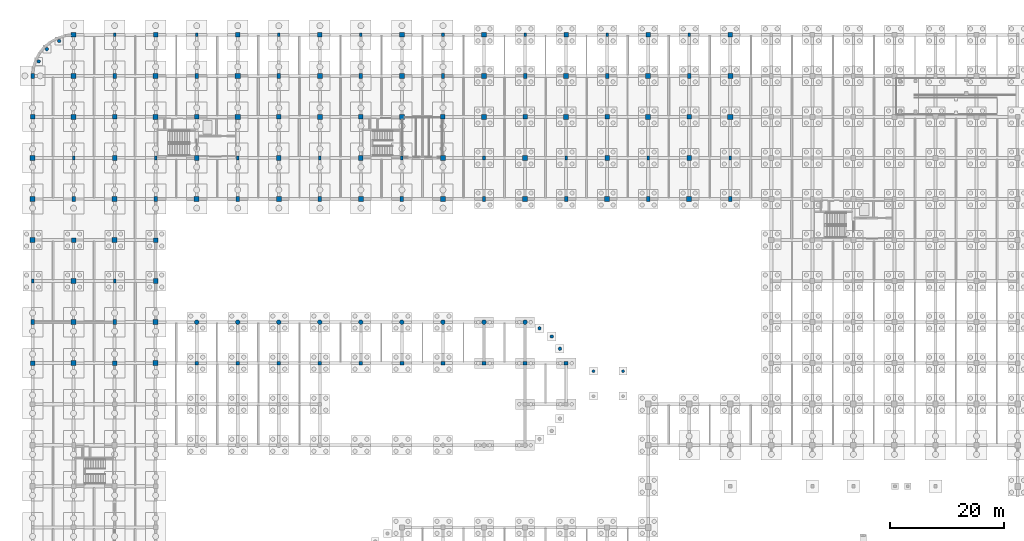
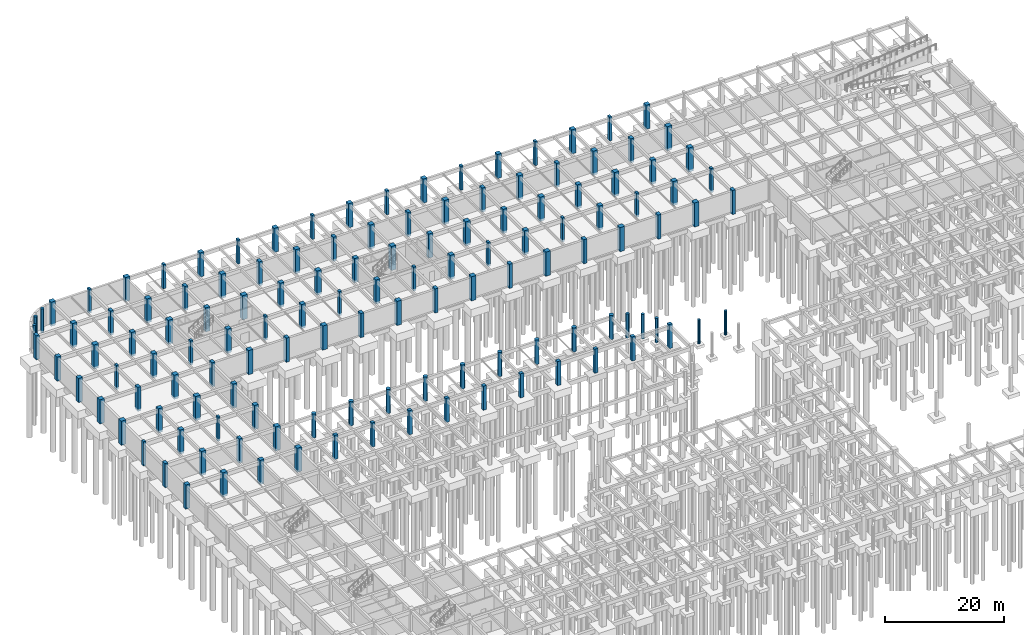
# One storey, part 18 of 47: 132 columns.
"""IFC4 building model written with IfcOpenShell, lengths in metres."""

from ifc_helpers import new_model, si_unit, direction, frame, origin, origin_2d, place, context, subcontext, project, spatial, rectangle, circle, extrude, material, material_profile, profile_set, type_object, element, save


model = new_model("IFC4")

# Units and contexts
model_context = context("Model", 3, precision=1e-05, world=origin(), true_north=direction((0.0, 1.0)))
body_context = subcontext(model_context, "Body", "Model", "MODEL_VIEW")
ifc_project = project(units=[si_unit("LENGTHUNIT", "METRE"), si_unit("AREAUNIT", "SQUARE_METRE"), si_unit("VOLUMEUNIT", "CUBIC_METRE"), si_unit("PLANEANGLEUNIT", "RADIAN"), si_unit("MASSUNIT", "GRAM", prefix="KILO")], contexts=[model_context])

# Site, building, storey
site_placement = place(None, origin())
site = spatial("IfcSite", under=ifc_project, at=site_placement, CompositionType="ELEMENT")
building_placement = place(site_placement, origin())
building = spatial("IfcBuilding", under=site, at=building_placement, Name="Thalmaran Polytechnic", CompositionType="ELEMENT")
storey_placement = place(building_placement, frame((0.0, 0.0, -4.5)))
storey = spatial("IfcBuildingStorey", under=building, at=storey_placement, Name="B1", CompositionType="ELEMENT", Elevation=-4.5)

# Columns
ifc_material_1 = material(Name="Concrete C40/50", Category="concrete")
ifc_material_profile_1 = material_profile(ifc_material_1, circle(Radius=0.25, at=origin_2d()), Name="RC 500 DIA")
ifc_profile_set_1 = profile_set([ifc_material_profile_1], Name="Concrete C40/50")
column_type_1 = type_object("IfcColumnType", Name="COL-AC1", PredefinedType="COLUMN", material=ifc_profile_set_1)
for number, where, z_axis, x_axis, name in (
    (1, (98.39990234375, 63.39990234375, -0.449951171875), (0.0, 0.0, 1.0), (1.0, 0.0, 0.0), "Court Canopy Foundation Pier 0-63"),
    (2, (103.60009765625, 63.39990234375, -0.449951171875), (0.0, 0.0, 1.0), (1.0, 0.0, 0.0), "Court Canopy Foundation Pier 1-63"),
):
    element("IfcColumn", number, at=place(storey_placement, frame(where, z_axis=z_axis, x_axis=x_axis)), inside=storey, type_object=column_type_1, Name=name, PredefinedType="COLUMN", context=body_context, shape_type="SweptSolid", body=[
        extrude(circle(Radius=0.25, at=origin_2d()), origin(), (0.0, 0.0, 1.0), 4.949951171875),
    ])
ifc_material_2 = material(Name="Concrete C50/60", Category="concrete")
ifc_material_profile_2 = material_profile(ifc_material_2, rectangle(XDim=0.89990234375, YDim=0.89990234375, at=origin_2d()), Name="RC 900x900")
ifc_profile_set_2 = profile_set([ifc_material_profile_2], Name="Concrete C50/60")
column_type_2 = type_object("IfcColumnType", Name="COL-C01", PredefinedType="COLUMN", material=ifc_profile_set_2)
for number, where, z_axis, x_axis, name in (
    (3, (0.0, 86.39990234375, -0.449951171875), (0.0, 0.0, 1.0), (1.0, 0.0, 0.0), "Column C01 B1 (0,12)"),
    (4, (7.199951171875, 64.800048828125, -0.449951171875), (0.0, 0.0, 1.0), (1.0, 0.0, 0.0), "Column C01 B1 (1,9)"),
    (5, (7.199951171875, 108.0, -0.449951171875), (0.0, 0.0, 1.0), (1.0, 0.0, 0.0), "Column C01 B1 (1,15)"),
    (6, (14.39990234375, 86.39990234375, -0.449951171875), (0.0, 0.0, 1.0), (1.0, 0.0, 0.0), "Column C01 B1 (2,12)"),
    (7, (21.60009765625, 64.800048828125, -0.449951171875), (0.0, 0.0, 1.0), (1.0, 0.0, 0.0), "Column C01 B1 (3,9)"),
    (8, (21.60009765625, 108.0, -0.449951171875), (0.0, 0.0, 1.0), (1.0, 0.0, 0.0), "Column C01 B1 (3,15)"),
    (9, (36.0, 108.0, -0.449951171875), (0.0, 0.0, 1.0), (1.0, 0.0, 0.0), "Column C01 B1 (5,15)"),
    (10, (50.39990234375, 108.0, -0.449951171875), (0.0, 0.0, 1.0), (1.0, 0.0, 0.0), "Column C01 B1 (7,15)"),
    (11, (64.800048828125, 108.0, -0.449951171875), (0.0, 0.0, 1.0), (1.0, 0.0, 0.0), "Column C01 B1 (9,15)"),
    (12, (79.199951171875, 108.0, -0.449951171875), (0.0, 0.0, 1.0), (1.0, 0.0, 0.0), "Column C01 B1 (11,15)"),
    (13, (93.60009765625, 108.0, -0.449951171875), (0.0, 0.0, 1.0), (1.0, 0.0, 0.0), "Column C01 B1 (13,15)"),
    (14, (108.0, 108.0, -0.449951171875), (0.0, 0.0, 1.0), (1.0, 0.0, 0.0), "Column C01 B1 (15,15)"),
    (15, (122.39990234375, 108.0, -0.449951171875), (0.0, 0.0, 1.0), (1.0, 0.0, 0.0), "Column C01 B1 (17,15)"),
):
    element("IfcColumn", number, at=place(storey_placement, frame(where, z_axis=z_axis, x_axis=x_axis)), inside=storey, type_object=column_type_2, Name=name, PredefinedType="COLUMN", context=body_context, shape_type="SweptSolid", body=[
        extrude(rectangle(XDim=0.89990234375, YDim=0.89990234375, at=origin_2d()), origin(), (0.0, 0.0, 1.0), 4.949951171875),
    ])
ifc_material_profile_3 = material_profile(ifc_material_2, rectangle(XDim=0.800048828125, YDim=0.800048828125, at=origin_2d()), Name="RC 800x800")
ifc_profile_set_3 = profile_set([ifc_material_profile_3], Name="Concrete C50/60")
column_type_3 = type_object("IfcColumnType", Name="COL-C03", PredefinedType="COLUMN", material=ifc_profile_set_3)
for number, where, z_axis, x_axis, name in (
    (16, (0.0, 64.800048828125, -0.449951171875), (0.0, 0.0, 1.0), (1.0, 0.0, 0.0), "Column C03 B1 (0,9)"),
    (17, (0.0, 108.0, -0.449951171875), (0.0, 0.0, 1.0), (1.0, 0.0, 0.0), "Column C03 B1 (0,15)"),
    (18, (7.199951171875, 86.39990234375, -0.449951171875), (0.0, 0.0, 1.0), (1.0, 0.0, 0.0), "Column C03 B1 (1,12)"),
    (19, (14.39990234375, 64.800048828125, -0.449951171875), (0.0, 0.0, 1.0), (1.0, 0.0, 0.0), "Column C03 B1 (2,9)"),
    (20, (14.39990234375, 108.0, -0.449951171875), (0.0, 0.0, 1.0), (1.0, 0.0, 0.0), "Column C03 B1 (2,15)"),
    (21, (21.60009765625, 86.39990234375, -0.449951171875), (0.0, 0.0, 1.0), (1.0, 0.0, 0.0), "Column C03 B1 (3,12)"),
    (22, (28.800048828125, 108.0, -0.449951171875), (0.0, 0.0, 1.0), (1.0, 0.0, 0.0), "Column C03 B1 (4,15)"),
    (23, (43.199951171875, 108.0, -0.449951171875), (0.0, 0.0, 1.0), (1.0, 0.0, 0.0), "Column C03 B1 (6,15)"),
    (24, (57.60009765625, 108.0, -0.449951171875), (0.0, 0.0, 1.0), (1.0, 0.0, 0.0), "Column C03 B1 (8,15)"),
    (25, (72.0, 108.0, -0.449951171875), (0.0, 0.0, 1.0), (1.0, 0.0, 0.0), "Column C03 B1 (10,15)"),
    (26, (86.39990234375, 108.0, -0.449951171875), (0.0, 0.0, 1.0), (1.0, 0.0, 0.0), "Column C03 B1 (12,15)"),
    (27, (100.800048828125, 108.0, -0.449951171875), (0.0, 0.0, 1.0), (1.0, 0.0, 0.0), "Column C03 B1 (14,15)"),
    (28, (115.199951171875, 108.0, -0.449951171875), (0.0, 0.0, 1.0), (1.0, 0.0, 0.0), "Column C03 B1 (16,15)"),
):
    element("IfcColumn", number, at=place(storey_placement, frame(where, z_axis=z_axis, x_axis=x_axis)), inside=storey, type_object=column_type_3, Name=name, PredefinedType="COLUMN", context=body_context, shape_type="SweptSolid", body=[
        extrude(rectangle(XDim=0.800048828125, YDim=0.800048828125, at=origin_2d()), origin(), (0.0, 0.0, 1.0), 4.949951171875),
    ])
ifc_material_profile_4 = material_profile(ifc_material_1, rectangle(XDim=0.64990234375, YDim=0.64990234375, at=origin_2d()), Name="RC 650x650")
ifc_profile_set_4 = profile_set([ifc_material_profile_4], Name="Concrete C40/50")
column_type_4 = type_object("IfcColumnType", Name="COL-C06", PredefinedType="COLUMN", material=ifc_profile_set_4)
for number, where, z_axis, x_axis, name in (
    (29, (28.800048828125, 64.800048828125, -0.449951171875), (0.0, 0.0, 1.0), (1.0, 0.0, 0.0), "Column C06 B1 (4,9)"),
    (30, (36.0, 64.800048828125, -0.449951171875), (0.0, 0.0, 1.0), (1.0, 0.0, 0.0), "Column C06 B1 (5,9)"),
    (31, (43.199951171875, 64.800048828125, -0.449951171875), (0.0, 0.0, 1.0), (1.0, 0.0, 0.0), "Column C06 B1 (6,9)"),
    (32, (50.39990234375, 64.800048828125, -0.449951171875), (0.0, 0.0, 1.0), (1.0, 0.0, 0.0), "Column C06 B1 (7,9)"),
    (33, (57.60009765625, 64.800048828125, -0.449951171875), (0.0, 0.0, 1.0), (1.0, 0.0, 0.0), "Column C06 B1 (8,9)"),
    (34, (64.800048828125, 64.800048828125, -0.449951171875), (0.0, 0.0, 1.0), (1.0, 0.0, 0.0), "Column C06 B1 (9,9)"),
    (35, (72.0, 64.800048828125, -0.449951171875), (0.0, 0.0, 1.0), (1.0, 0.0, 0.0), "Column C06 B1 (10,9)"),
    (36, (79.199951171875, 64.800048828125, -0.449951171875), (0.0, 0.0, 1.0), (1.0, 0.0, 0.0), "Column C06 B1 (11,9)"),
    (37, (86.39990234375, 64.800048828125, -0.449951171875), (0.0, 0.0, 1.0), (1.0, 0.0, 0.0), "Column C06 B1 (12,9)"),
    (38, (93.60009765625, 64.800048828125, -0.449951171875), (0.0, 0.0, 1.0), (1.0, 0.0, 0.0), "Column C06 B1 (13,9)"),
):
    element("IfcColumn", number, at=place(storey_placement, frame(where, z_axis=z_axis, x_axis=x_axis)), inside=storey, type_object=column_type_4, Name=name, PredefinedType="COLUMN", context=body_context, shape_type="SweptSolid", body=[
        extrude(rectangle(XDim=0.64990234375, YDim=0.64990234375, at=origin_2d()), origin(), (0.0, 0.0, 1.0), 4.949951171875),
    ])
ifc_material_profile_5 = material_profile(ifc_material_2, rectangle(XDim=0.60009765625, YDim=0.89990234375, at=origin_2d()), Name="RC 600x900")
ifc_profile_set_5 = profile_set([ifc_material_profile_5], Name="Concrete C50/60")
column_type_5 = type_object("IfcColumnType", Name="COL-C11", PredefinedType="COLUMN", material=ifc_profile_set_5)
for number, where, z_axis, x_axis, name in (
    (39, (0.0, 72.0, -0.449951171875), (0.0, 0.0, 1.0), (1.0, 0.0, 0.0), "Column C11 B1 (0,10)"),
    (40, (0.0, 115.199951171875, -0.449951171875), (0.0, 0.0, 1.0), (1.0, 0.0, 0.0), "Column C11 B1 (0,16)"),
    (41, (7.199951171875, 93.60009765625, -0.449951171875), (0.0, 0.0, 1.0), (1.0, 0.0, 0.0), "Column C11 B1 (1,13)"),
    (42, (14.39990234375, 72.0, -0.449951171875), (0.0, 0.0, 1.0), (1.0, 0.0, 0.0), "Column C11 B1 (2,10)"),
    (43, (14.39990234375, 115.199951171875, -0.449951171875), (0.0, 0.0, 1.0), (1.0, 0.0, 0.0), "Column C11 B1 (2,16)"),
    (44, (21.60009765625, 93.60009765625, -0.449951171875), (0.0, 0.0, 1.0), (1.0, 0.0, 0.0), "Column C11 B1 (3,13)"),
    (45, (28.800048828125, 115.199951171875, -0.449951171875), (0.0, 0.0, 1.0), (1.0, 0.0, 0.0), "Column C11 B1 (4,16)"),
    (46, (36.0, 93.60009765625, -0.449951171875), (0.0, 0.0, 1.0), (1.0, 0.0, 0.0), "Column C11 B1 (5,13)"),
    (47, (43.199951171875, 115.199951171875, -0.449951171875), (0.0, 0.0, 1.0), (1.0, 0.0, 0.0), "Column C11 B1 (6,16)"),
    (48, (50.39990234375, 93.60009765625, -0.449951171875), (0.0, 0.0, 1.0), (1.0, 0.0, 0.0), "Column C11 B1 (7,13)"),
    (49, (57.60009765625, 115.199951171875, -0.449951171875), (0.0, 0.0, 1.0), (1.0, 0.0, 0.0), "Column C11 B1 (8,16)"),
    (50, (64.800048828125, 93.60009765625, -0.449951171875), (0.0, 0.0, 1.0), (1.0, 0.0, 0.0), "Column C11 B1 (9,13)"),
    (51, (72.0, 115.199951171875, -0.449951171875), (0.0, 0.0, 1.0), (1.0, 0.0, 0.0), "Column C11 B1 (10,16)"),
    (52, (79.199951171875, 93.60009765625, -0.449951171875), (0.0, 0.0, 1.0), (1.0, 0.0, 0.0), "Column C11 B1 (11,13)"),
    (53, (86.39990234375, 115.199951171875, -0.449951171875), (0.0, 0.0, 1.0), (1.0, 0.0, 0.0), "Column C11 B1 (12,16)"),
    (54, (93.60009765625, 93.60009765625, -0.449951171875), (0.0, 0.0, 1.0), (1.0, 0.0, 0.0), "Column C11 B1 (13,13)"),
    (55, (100.800048828125, 115.199951171875, -0.449951171875), (0.0, 0.0, 1.0), (1.0, 0.0, 0.0), "Column C11 B1 (14,16)"),
    (56, (108.0, 93.60009765625, -0.449951171875), (0.0, 0.0, 1.0), (1.0, 0.0, 0.0), "Column C11 B1 (15,13)"),
    (57, (115.199951171875, 115.199951171875, -0.449951171875), (0.0, 0.0, 1.0), (1.0, 0.0, 0.0), "Column C11 B1 (16,16)"),
    (58, (122.39990234375, 93.60009765625, -0.449951171875), (0.0, 0.0, 1.0), (1.0, 0.0, 0.0), "Column C11 B1 (17,13)"),
):
    element("IfcColumn", number, at=place(storey_placement, frame(where, z_axis=z_axis, x_axis=x_axis)), inside=storey, type_object=column_type_5, Name=name, PredefinedType="COLUMN", context=body_context, shape_type="SweptSolid", body=[
        extrude(rectangle(XDim=0.60009765625, YDim=0.89990234375, at=origin_2d()), origin(), (0.0, 0.0, 1.0), 4.949951171875),
    ])
ifc_material_profile_6 = material_profile(ifc_material_2, circle(Radius=0.39990234375, at=origin_2d()), Name="RC 800 DIA")
ifc_profile_set_6 = profile_set([ifc_material_profile_6], Name="Concrete C50/60")
column_type_6 = type_object("IfcColumnType", Name="COL-C14", PredefinedType="COLUMN", material=ifc_profile_set_6)
for number, where, z_axis, x_axis, name in (
    (59, (28.800048828125, 72.0, -0.449951171875), (0.0, 0.0, 1.0), (1.0, 0.0, 0.0), "Column C14 B1 (4,10)"),
    (60, (36.0, 72.0, -0.449951171875), (0.0, 0.0, 1.0), (1.0, 0.0, 0.0), "Column C14 B1 (5,10)"),
    (61, (43.199951171875, 72.0, -0.449951171875), (0.0, 0.0, 1.0), (1.0, 0.0, 0.0), "Column C14 B1 (6,10)"),
    (62, (50.39990234375, 72.0, -0.449951171875), (0.0, 0.0, 1.0), (1.0, 0.0, 0.0), "Column C14 B1 (7,10)"),
    (63, (57.60009765625, 72.0, -0.449951171875), (0.0, 0.0, 1.0), (1.0, 0.0, 0.0), "Column C14 B1 (8,10)"),
    (64, (64.800048828125, 72.0, -0.449951171875), (0.0, 0.0, 1.0), (1.0, 0.0, 0.0), "Column C14 B1 (9,10)"),
    (65, (72.0, 72.0, -0.449951171875), (0.0, 0.0, 1.0), (1.0, 0.0, 0.0), "Column C14 B1 (10,10)"),
    (66, (79.199951171875, 72.0, -0.449951171875), (0.0, 0.0, 1.0), (1.0, 0.0, 0.0), "Column C14 B1 (11,10)"),
    (67, (86.39990234375, 72.0, -0.449951171875), (0.0, 0.0, 1.0), (1.0, 0.0, 0.0), "Column C14 B1 (12,10)"),
):
    element("IfcColumn", number, at=place(storey_placement, frame(where, z_axis=z_axis, x_axis=x_axis)), inside=storey, type_object=column_type_6, Name=name, PredefinedType="COLUMN", context=body_context, shape_type="SweptSolid", body=[
        extrude(circle(Radius=0.39990234375, at=origin_2d()), origin(), (0.0, 0.0, 1.0), 4.949951171875),
    ])
ifc_material_profile_7 = material_profile(ifc_material_1, circle(Radius=0.300048828125, at=origin_2d()), Name="RC 600 DIA")
ifc_profile_set_7 = profile_set([ifc_material_profile_7], Name="Concrete C40/50")
column_type_7 = type_object("IfcColumnType", Name="COL-C16", PredefinedType="COLUMN", material=ifc_profile_set_7)
for number, where, z_axis, x_axis, name in (
    (68, (4.666748046875, 121.316162109375, -0.449951171875), (0.0, 0.0, 1.0), (1.0, 0.0, 0.0), "Prow Column NWP1 B1"),
    (69, (2.51904296875, 119.881103515625, -0.449951171875), (0.0, 0.0, 1.0), (1.0, 0.0, 0.0), "Prow Column NWP2 B1"),
    (70, (1.083984375, 117.7333984375, -0.449951171875), (0.0, 0.0, 1.0), (1.0, 0.0, 0.0), "Prow Column NWP3 B1"),
    (71, (92.51611328125, 67.333251953125, -0.449951171875), (0.0, 0.0, 1.0), (1.0, 0.0, 0.0), "Refectory Drum Column V6NE1 B1"),
    (72, (91.0810546875, 69.48095703125, -0.449951171875), (0.0, 0.0, 1.0), (1.0, 0.0, 0.0), "Refectory Drum Column V6NE2 B1"),
    (73, (88.933349609375, 70.916015625, -0.449951171875), (0.0, 0.0, 1.0), (1.0, 0.0, 0.0), "Refectory Drum Column V6NE3 B1"),
):
    element("IfcColumn", number, at=place(storey_placement, frame(where, z_axis=z_axis, x_axis=x_axis)), inside=storey, type_object=column_type_7, Name=name, PredefinedType="COLUMN", context=body_context, shape_type="SweptSolid", body=[
        extrude(circle(Radius=0.300048828125, at=origin_2d()), origin(), (0.0, 0.0, 1.0), 4.949951171875),
    ])
ifc_material_profile_8 = material_profile(ifc_material_1, rectangle(XDim=0.449951171875, YDim=0.64990234375, at=origin_2d()), Name="RC 450x650")
ifc_profile_set_8 = profile_set([ifc_material_profile_8], Name="Concrete C40/50")
column_type_8 = type_object("IfcColumnType", Name="COL-PL1", PredefinedType="PILASTER", material=ifc_profile_set_8)
for number, where, z_axis, x_axis, name in (
    (74, (0.0, 79.199951171875, -0.449951171875), (0.0, 0.0, 1.0), (1.0, 0.0, 0.0), "Column PL1 B1 (0,11)"),
    (75, (7.199951171875, 100.800048828125, -0.449951171875), (0.0, 0.0, 1.0), (1.0, 0.0, 0.0), "Column PL1 B1 (1,14)"),
    (76, (14.39990234375, 79.199951171875, -0.449951171875), (0.0, 0.0, 1.0), (1.0, 0.0, 0.0), "Column PL1 B1 (2,11)"),
    (77, (14.39990234375, 122.39990234375, -0.449951171875), (0.0, 0.0, 1.0), (1.0, 0.0, 0.0), "Column PL1 B1 (2,17)"),
    (78, (21.60009765625, 100.800048828125, -0.449951171875), (0.0, 0.0, 1.0), (1.0, 0.0, 0.0), "Column PL1 B1 (3,14)"),
    (79, (28.800048828125, 122.39990234375, -0.449951171875), (0.0, 0.0, 1.0), (1.0, 0.0, 0.0), "Column PL1 B1 (4,17)"),
    (80, (36.0, 100.800048828125, -0.449951171875), (0.0, 0.0, 1.0), (1.0, 0.0, 0.0), "Column PL1 B1 (5,14)"),
    (81, (43.199951171875, 122.39990234375, -0.449951171875), (0.0, 0.0, 1.0), (1.0, 0.0, 0.0), "Column PL1 B1 (6,17)"),
    (82, (50.39990234375, 100.800048828125, -0.449951171875), (0.0, 0.0, 1.0), (1.0, 0.0, 0.0), "Column PL1 B1 (7,14)"),
    (83, (57.60009765625, 122.39990234375, -0.449951171875), (0.0, 0.0, 1.0), (1.0, 0.0, 0.0), "Column PL1 B1 (8,17)"),
    (84, (64.800048828125, 100.800048828125, -0.449951171875), (0.0, 0.0, 1.0), (1.0, 0.0, 0.0), "Column PL1 B1 (9,14)"),
    (85, (72.0, 122.39990234375, -0.449951171875), (0.0, 0.0, 1.0), (1.0, 0.0, 0.0), "Column PL1 B1 (10,17)"),
    (86, (79.199951171875, 100.800048828125, -0.449951171875), (0.0, 0.0, 1.0), (1.0, 0.0, 0.0), "Column PL1 B1 (11,14)"),
    (87, (86.39990234375, 122.39990234375, -0.449951171875), (0.0, 0.0, 1.0), (1.0, 0.0, 0.0), "Column PL1 B1 (12,17)"),
    (88, (93.60009765625, 100.800048828125, -0.449951171875), (0.0, 0.0, 1.0), (1.0, 0.0, 0.0), "Column PL1 B1 (13,14)"),
    (89, (100.800048828125, 122.39990234375, -0.449951171875), (0.0, 0.0, 1.0), (1.0, 0.0, 0.0), "Column PL1 B1 (14,17)"),
    (90, (108.0, 100.800048828125, -0.449951171875), (0.0, 0.0, 1.0), (1.0, 0.0, 0.0), "Column PL1 B1 (15,14)"),
    (91, (115.199951171875, 122.39990234375, -0.449951171875), (0.0, 0.0, 1.0), (1.0, 0.0, 0.0), "Column PL1 B1 (16,17)"),
    (92, (122.39990234375, 100.800048828125, -0.449951171875), (0.0, 0.0, 1.0), (1.0, 0.0, 0.0), "Column PL1 B1 (17,14)"),
):
    element("IfcColumn", number, at=place(storey_placement, frame(where, z_axis=z_axis, x_axis=x_axis)), inside=storey, type_object=column_type_8, Name=name, PredefinedType="PILASTER", context=body_context, shape_type="SweptSolid", body=[
        extrude(rectangle(XDim=0.449951171875, YDim=0.64990234375, at=origin_2d()), origin(), (0.0, 0.0, 1.0), 4.949951171875),
    ])
ifc_material_profile_9 = material_profile(ifc_material_2, rectangle(XDim=0.8798828125, YDim=0.8798828125, at=origin_2d()), Name="RC 880x880")
ifc_profile_set_9 = profile_set([ifc_material_profile_9], Name="Concrete C50/60")
column_type_9 = type_object("IfcColumnType", Name="COL-ZC01", PredefinedType="COLUMN", material=ifc_profile_set_9)
for number, where, z_axis, x_axis, name in (
    (93, (0.0, 93.60009765625, -0.449951171875), (0.0, 0.0, 1.0), (1.0, 0.0, 0.0), "Column ZC01 B1 (0,13)"),
    (94, (7.199951171875, 72.0, -0.449951171875), (0.0, 0.0, 1.0), (1.0, 0.0, 0.0), "Column ZC01 B1 (1,10)"),
    (95, (7.199951171875, 115.199951171875, -0.449951171875), (0.0, 0.0, 1.0), (1.0, 0.0, 0.0), "Column ZC01 B1 (1,16)"),
    (96, (14.39990234375, 93.60009765625, -0.449951171875), (0.0, 0.0, 1.0), (1.0, 0.0, 0.0), "Column ZC01 B1 (2,13)"),
    (97, (21.60009765625, 72.0, -0.449951171875), (0.0, 0.0, 1.0), (1.0, 0.0, 0.0), "Column ZC01 B1 (3,10)"),
    (98, (21.60009765625, 115.199951171875, -0.449951171875), (0.0, 0.0, 1.0), (1.0, 0.0, 0.0), "Column ZC01 B1 (3,16)"),
    (99, (28.800048828125, 93.60009765625, -0.449951171875), (0.0, 0.0, 1.0), (1.0, 0.0, 0.0), "Column ZC01 B1 (4,13)"),
    (100, (36.0, 115.199951171875, -0.449951171875), (0.0, 0.0, 1.0), (1.0, 0.0, 0.0), "Column ZC01 B1 (5,16)"),
    (101, (43.199951171875, 93.60009765625, -0.449951171875), (0.0, 0.0, 1.0), (1.0, 0.0, 0.0), "Column ZC01 B1 (6,13)"),
    (102, (50.39990234375, 115.199951171875, -0.449951171875), (0.0, 0.0, 1.0), (1.0, 0.0, 0.0), "Column ZC01 B1 (7,16)"),
    (103, (57.60009765625, 93.60009765625, -0.449951171875), (0.0, 0.0, 1.0), (1.0, 0.0, 0.0), "Column ZC01 B1 (8,13)"),
    (104, (64.800048828125, 115.199951171875, -0.449951171875), (0.0, 0.0, 1.0), (1.0, 0.0, 0.0), "Column ZC01 B1 (9,16)"),
    (105, (72.0, 93.60009765625, -0.449951171875), (0.0, 0.0, 1.0), (1.0, 0.0, 0.0), "Column ZC01 B1 (10,13)"),
    (106, (79.199951171875, 115.199951171875, -0.449951171875), (0.0, 0.0, 1.0), (1.0, 0.0, 0.0), "Column ZC01 B1 (11,16)"),
    (107, (86.39990234375, 93.60009765625, -0.449951171875), (0.0, 0.0, 1.0), (1.0, 0.0, 0.0), "Column ZC01 B1 (12,13)"),
    (108, (93.60009765625, 115.199951171875, -0.449951171875), (0.0, 0.0, 1.0), (1.0, 0.0, 0.0), "Column ZC01 B1 (13,16)"),
    (109, (100.800048828125, 93.60009765625, -0.449951171875), (0.0, 0.0, 1.0), (1.0, 0.0, 0.0), "Column ZC01 B1 (14,13)"),
    (110, (108.0, 115.199951171875, -0.449951171875), (0.0, 0.0, 1.0), (1.0, 0.0, 0.0), "Column ZC01 B1 (15,16)"),
    (111, (115.199951171875, 93.60009765625, -0.449951171875), (0.0, 0.0, 1.0), (1.0, 0.0, 0.0), "Column ZC01 B1 (16,13)"),
    (112, (122.39990234375, 115.199951171875, -0.449951171875), (0.0, 0.0, 1.0), (1.0, 0.0, 0.0), "Column ZC01 B1 (17,16)"),
):
    element("IfcColumn", number, at=place(storey_placement, frame(where, z_axis=z_axis, x_axis=x_axis)), inside=storey, type_object=column_type_9, Name=name, PredefinedType="COLUMN", context=body_context, shape_type="SweptSolid", body=[
        extrude(rectangle(XDim=0.8798828125, YDim=0.8798828125, at=origin_2d()), origin(), (0.0, 0.0, 1.0), 4.949951171875),
    ])
ifc_material_profile_10 = material_profile(ifc_material_2, rectangle(XDim=0.820068359375, YDim=0.820068359375, at=origin_2d()), Name="RC 820x820")
ifc_profile_set_10 = profile_set([ifc_material_profile_10], Name="Concrete C50/60")
column_type_10 = type_object("IfcColumnType", Name="COL-ZC02", PredefinedType="COLUMN", material=ifc_profile_set_10)
for number, where, z_axis, x_axis, name in (
    (113, (0.0, 100.800048828125, -0.449951171875), (0.0, 0.0, 1.0), (1.0, 0.0, 0.0), "Column ZC02 B1 (0,14)"),
    (114, (7.199951171875, 79.199951171875, -0.449951171875), (0.0, 0.0, 1.0), (1.0, 0.0, 0.0), "Column ZC02 B1 (1,11)"),
    (115, (7.199951171875, 122.39990234375, -0.449951171875), (0.0, 0.0, 1.0), (1.0, 0.0, 0.0), "Column ZC02 B1 (1,17)"),
    (116, (14.39990234375, 100.800048828125, -0.449951171875), (0.0, 0.0, 1.0), (1.0, 0.0, 0.0), "Column ZC02 B1 (2,14)"),
    (117, (21.60009765625, 79.199951171875, -0.449951171875), (0.0, 0.0, 1.0), (1.0, 0.0, 0.0), "Column ZC02 B1 (3,11)"),
    (118, (21.60009765625, 122.39990234375, -0.449951171875), (0.0, 0.0, 1.0), (1.0, 0.0, 0.0), "Column ZC02 B1 (3,17)"),
    (119, (28.800048828125, 100.800048828125, -0.449951171875), (0.0, 0.0, 1.0), (1.0, 0.0, 0.0), "Column ZC02 B1 (4,14)"),
    (120, (36.0, 122.39990234375, -0.449951171875), (0.0, 0.0, 1.0), (1.0, 0.0, 0.0), "Column ZC02 B1 (5,17)"),
    (121, (43.199951171875, 100.800048828125, -0.449951171875), (0.0, 0.0, 1.0), (1.0, 0.0, 0.0), "Column ZC02 B1 (6,14)"),
    (122, (50.39990234375, 122.39990234375, -0.449951171875), (0.0, 0.0, 1.0), (1.0, 0.0, 0.0), "Column ZC02 B1 (7,17)"),
    (123, (57.60009765625, 100.800048828125, -0.449951171875), (0.0, 0.0, 1.0), (1.0, 0.0, 0.0), "Column ZC02 B1 (8,14)"),
    (124, (64.800048828125, 122.39990234375, -0.449951171875), (0.0, 0.0, 1.0), (1.0, 0.0, 0.0), "Column ZC02 B1 (9,17)"),
    (125, (72.0, 100.800048828125, -0.449951171875), (0.0, 0.0, 1.0), (1.0, 0.0, 0.0), "Column ZC02 B1 (10,14)"),
    (126, (79.199951171875, 122.39990234375, -0.449951171875), (0.0, 0.0, 1.0), (1.0, 0.0, 0.0), "Column ZC02 B1 (11,17)"),
    (127, (86.39990234375, 100.800048828125, -0.449951171875), (0.0, 0.0, 1.0), (1.0, 0.0, 0.0), "Column ZC02 B1 (12,14)"),
    (128, (93.60009765625, 122.39990234375, -0.449951171875), (0.0, 0.0, 1.0), (1.0, 0.0, 0.0), "Column ZC02 B1 (13,17)"),
    (129, (100.800048828125, 100.800048828125, -0.449951171875), (0.0, 0.0, 1.0), (1.0, 0.0, 0.0), "Column ZC02 B1 (14,14)"),
    (130, (108.0, 122.39990234375, -0.449951171875), (0.0, 0.0, 1.0), (1.0, 0.0, 0.0), "Column ZC02 B1 (15,17)"),
    (131, (115.199951171875, 100.800048828125, -0.449951171875), (0.0, 0.0, 1.0), (1.0, 0.0, 0.0), "Column ZC02 B1 (16,14)"),
    (132, (122.39990234375, 122.39990234375, -0.449951171875), (0.0, 0.0, 1.0), (1.0, 0.0, 0.0), "Column ZC02 B1 (17,17)"),
):
    element("IfcColumn", number, at=place(storey_placement, frame(where, z_axis=z_axis, x_axis=x_axis)), inside=storey, type_object=column_type_10, Name=name, PredefinedType="COLUMN", context=body_context, shape_type="SweptSolid", body=[
        extrude(rectangle(XDim=0.820068359375, YDim=0.820068359375, at=origin_2d()), origin(), (0.0, 0.0, 1.0), 4.949951171875),
    ])

save(model, "model.ifc")
